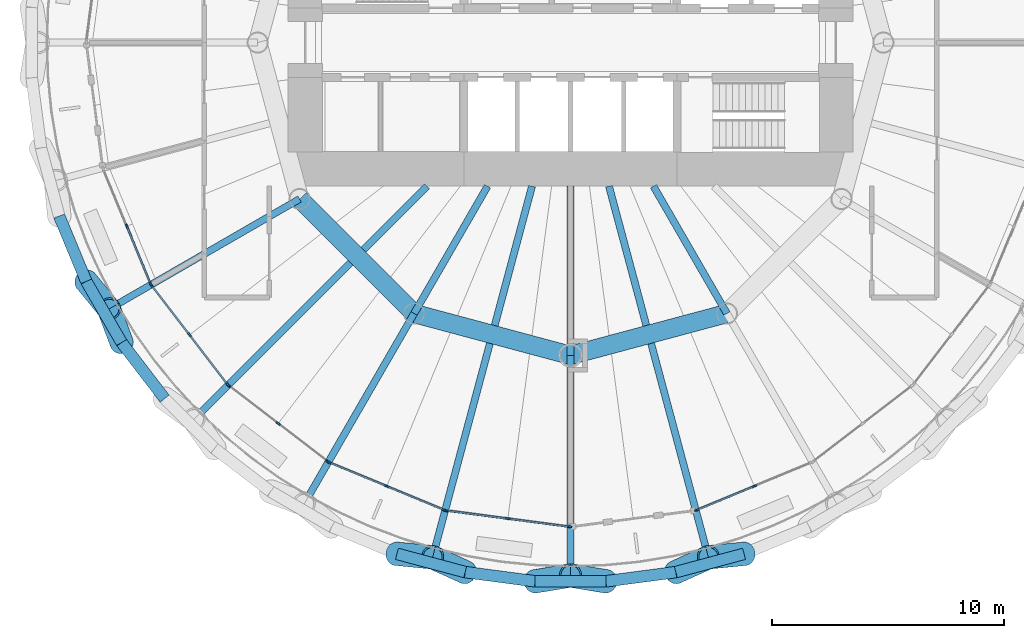
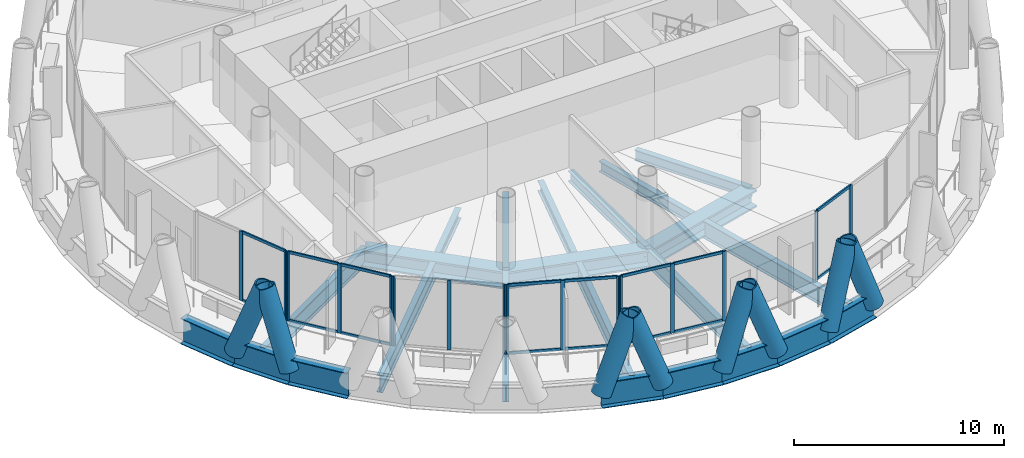
# One storey, part 2 of 14: 40 members, 23 beams, 6 elements without a shape of their own.
"""IFC4 building model written with IfcOpenShell, lengths in metres."""

from ifc_helpers import new_model, si_unit, direction, frame, origin, origin_2d, place, context, subcontext, project, spatial, rectangle, hollow_circle, i_section, extrude, material, material_profile, profile_set, type_object, element, aggregate, save


model = new_model("IFC4")

# Units and contexts
model_context = context("Model", 3, precision=1e-05, world=origin(), true_north=direction((0.0, 1.0)))
body_context = subcontext(model_context, "Body", "Model", "MODEL_VIEW")
ifc_project = project(units=[si_unit("LENGTHUNIT", "METRE"), si_unit("AREAUNIT", "SQUARE_METRE"), si_unit("VOLUMEUNIT", "CUBIC_METRE"), si_unit("PLANEANGLEUNIT", "RADIAN"), si_unit("MASSUNIT", "GRAM", prefix="KILO")], contexts=[model_context])

# Site, building, storey
site_placement = place(None, origin())
site = spatial("IfcSite", under=ifc_project, at=site_placement, CompositionType="ELEMENT")
building_placement = place(site_placement, origin())
building = spatial("IfcBuilding", under=site, at=building_placement, Name="Qaws Media Tower", CompositionType="ELEMENT")
storey_placement = place(building_placement, frame((0.0, 0.0, 206.60009765625)))
storey = spatial("IfcBuildingStorey", under=building, at=storey_placement, Name="L47", CompositionType="ELEMENT", Elevation=206.60009765625)

# Curtain wall, members
ifc_material_1 = material(Name="Aluminium and clear glass", Category="aluminium")
curtain_wall_type = type_object("IfcCurtainWallType", Name="Unitised curtain wall CW-C", PredefinedType="NOTDEFINED", material=ifc_material_1)
curtain_wall_1_placement = place(storey_placement, origin())
curtain_wall_1 = element("IfcCurtainWall", 1, at=curtain_wall_1_placement, inside=storey, type_object=curtain_wall_type, Name="CWC curtain wall L47-14", PredefinedType="NOTDEFINED")
ifc_material_2 = material(Name="Aluminium mullion", Category="aluminium")
ifc_material_profile_1 = material_profile(ifc_material_2, rectangle(XDim=0.080078125, YDim=0.199951171875, at=origin_2d()), Name="80x200")
ifc_profile_set_1 = profile_set([ifc_material_profile_1], Name="Aluminium mullion")
member_type_1 = type_object("IfcMemberType", Name="Curtain wall mullion 80x200", PredefinedType="MULLION", material=ifc_profile_set_1)
member_1_placement = place(storey_placement, frame((40.856201171875, 42.0703125, 0.0), z_axis=(0.0, 0.0, 1.0), x_axis=(0.92387952266, 0.382683456149, 0.0)))
member_1 = element("IfcMember", 2, at=member_1_placement, type_object=member_type_1, Name="CWC mullion 2", PredefinedType="MULLION", context=body_context, shape_type="SweptSolid", body=[
    extrude(rectangle(XDim=0.080078125, YDim=0.199951171875, at=origin_2d()), origin(), (0.0, 0.0, 1.0), 4.039794921875),
])
member_2_placement = place(storey_placement, frame((41.884765625, 39.5869140625, 0.0), z_axis=(0.0, 0.0, 1.0), x_axis=(0.92387952266, 0.382683456149, 0.0)))
member_2 = element("IfcMember", 3, at=member_2_placement, type_object=member_type_1, Name="CWC mullion 3", PredefinedType="MULLION", context=body_context, shape_type="SweptSolid", body=[
    extrude(rectangle(XDim=0.080078125, YDim=0.199951171875, at=origin_2d()), origin(), (0.0, 0.0, 1.0), 4.039794921875),
])

curtain_wall_2_placement = place(storey_placement, origin())
curtain_wall_2 = element("IfcCurtainWall", 4, at=curtain_wall_2_placement, inside=storey, type_object=curtain_wall_type, Name="CWC curtain wall L47-15", PredefinedType="NOTDEFINED")
member_3_placement = place(storey_placement, frame((41.92431640625, 39.518310546875, 0.0), z_axis=(0.0, 0.0, 1.0), x_axis=(0.793353377638, 0.608761380338, 0.0)))
member_3 = element("IfcMember", 5, at=member_3_placement, type_object=member_type_1, Name="CWC mullion 1", PredefinedType="MULLION", context=body_context, shape_type="SweptSolid", body=[
    extrude(rectangle(XDim=0.080078125, YDim=0.199951171875, at=origin_2d()), origin(), (0.0, 0.0, 1.0), 4.039794921875),
])
member_4_placement = place(storey_placement, frame((43.560791015625, 37.3857421875, 0.0), z_axis=(0.0, 0.0, 1.0), x_axis=(0.793353377638, 0.608761380338, 0.0)))
member_4 = element("IfcMember", 6, at=member_4_placement, type_object=member_type_1, Name="CWC mullion 2", PredefinedType="MULLION", context=body_context, shape_type="SweptSolid", body=[
    extrude(rectangle(XDim=0.080078125, YDim=0.199951171875, at=origin_2d()), origin(), (0.0, 0.0, 1.0), 4.039794921875),
])
member_5_placement = place(storey_placement, frame((45.197021484375, 35.253173828125, 0.0), z_axis=(0.0, 0.0, 1.0), x_axis=(0.793353377638, 0.608761380338, 0.0)))
member_5 = element("IfcMember", 7, at=member_5_placement, type_object=member_type_1, Name="CWC mullion 3", PredefinedType="MULLION", context=body_context, shape_type="SweptSolid", body=[
    extrude(rectangle(XDim=0.080078125, YDim=0.199951171875, at=origin_2d()), origin(), (0.0, 0.0, 1.0), 4.039794921875),
])

curtain_wall_3_placement = place(storey_placement, origin())
curtain_wall_3 = element("IfcCurtainWall", 8, at=curtain_wall_3_placement, inside=storey, type_object=curtain_wall_type, Name="CWC curtain wall L47-16", PredefinedType="NOTDEFINED")
member_6_placement = place(storey_placement, frame((45.253173828125, 35.197021484375, 0.0), z_axis=(0.0, 0.0, 1.0), x_axis=(0.608761380338, 0.793353377638, 0.0)))
member_6 = element("IfcMember", 9, at=member_6_placement, type_object=member_type_1, Name="CWC mullion 1", PredefinedType="MULLION", context=body_context, shape_type="SweptSolid", body=[
    extrude(rectangle(XDim=0.080078125, YDim=0.199951171875, at=origin_2d()), origin(), (0.0, 0.0, 1.0), 4.039794921875),
])
member_7_placement = place(storey_placement, frame((47.3857421875, 33.560791015625, 0.0), z_axis=(0.0, 0.0, 1.0), x_axis=(0.608761380338, 0.793353377638, 0.0)))
member_7 = element("IfcMember", 10, at=member_7_placement, type_object=member_type_1, Name="CWC mullion 2", PredefinedType="MULLION", context=body_context, shape_type="SweptSolid", body=[
    extrude(rectangle(XDim=0.080078125, YDim=0.199951171875, at=origin_2d()), origin(), (0.0, 0.0, 1.0), 4.039794921875),
])
member_8_placement = place(storey_placement, frame((49.518310546875, 31.92431640625, 0.0), z_axis=(0.0, 0.0, 1.0), x_axis=(0.608761380338, 0.793353377638, 0.0)))
member_8 = element("IfcMember", 11, at=member_8_placement, type_object=member_type_1, Name="CWC mullion 3", PredefinedType="MULLION", context=body_context, shape_type="SweptSolid", body=[
    extrude(rectangle(XDim=0.080078125, YDim=0.199951171875, at=origin_2d()), origin(), (0.0, 0.0, 1.0), 4.039794921875),
])
aggregate(curtain_wall_3, [member_6, member_7, member_8])

curtain_wall_4_placement = place(storey_placement, origin())
curtain_wall_4 = element("IfcCurtainWall", 12, at=curtain_wall_4_placement, inside=storey, type_object=curtain_wall_type, Name="CWC curtain wall L47-17", PredefinedType="NOTDEFINED")
member_9_placement = place(storey_placement, frame((49.5869140625, 31.884765625, 0.0), z_axis=(0.0, 0.0, 1.0), x_axis=(0.382683456149, 0.92387952266, 0.0)))
member_9 = element("IfcMember", 13, at=member_9_placement, type_object=member_type_1, Name="CWC mullion 1", PredefinedType="MULLION", context=body_context, shape_type="SweptSolid", body=[
    extrude(rectangle(XDim=0.080078125, YDim=0.199951171875, at=origin_2d()), origin(), (0.0, 0.0, 1.0), 4.039794921875),
])
member_10_placement = place(storey_placement, frame((52.0703125, 30.856201171875, 0.0), z_axis=(0.0, 0.0, 1.0), x_axis=(0.382683456149, 0.92387952266, 0.0)))
member_10 = element("IfcMember", 14, at=member_10_placement, type_object=member_type_1, Name="CWC mullion 2", PredefinedType="MULLION", context=body_context, shape_type="SweptSolid", body=[
    extrude(rectangle(XDim=0.080078125, YDim=0.199951171875, at=origin_2d()), origin(), (0.0, 0.0, 1.0), 4.039794921875),
])
member_11_placement = place(storey_placement, frame((54.5537109375, 29.827392578125, 0.0), z_axis=(0.0, 0.0, 1.0), x_axis=(0.382683456149, 0.92387952266, 0.0)))
member_11 = element("IfcMember", 15, at=member_11_placement, type_object=member_type_1, Name="CWC mullion 3", PredefinedType="MULLION", context=body_context, shape_type="SweptSolid", body=[
    extrude(rectangle(XDim=0.080078125, YDim=0.199951171875, at=origin_2d()), origin(), (0.0, 0.0, 1.0), 4.039794921875),
])

curtain_wall_5_placement = place(storey_placement, origin())
curtain_wall_5 = element("IfcCurtainWall", 16, at=curtain_wall_5_placement, inside=storey, type_object=curtain_wall_type, Name="CWC curtain wall L47-18", PredefinedType="NOTDEFINED")
member_12_placement = place(storey_placement, frame((54.63037109375, 29.806884765625, 0.0), z_axis=(0.0, 0.0, 1.0), x_axis=(0.130526151694, 0.991444866709, 0.0)))
member_12 = element("IfcMember", 17, at=member_12_placement, type_object=member_type_1, Name="CWC mullion 1", PredefinedType="MULLION", context=body_context, shape_type="SweptSolid", body=[
    extrude(rectangle(XDim=0.080078125, YDim=0.199951171875, at=origin_2d()), origin(), (0.0, 0.0, 1.0), 4.039794921875),
])
member_13_placement = place(storey_placement, frame((57.29541015625, 29.4560546875, 0.0), z_axis=(0.0, 0.0, 1.0), x_axis=(0.130526151694, 0.991444866709, 0.0)))
member_13 = element("IfcMember", 18, at=member_13_placement, type_object=member_type_1, Name="CWC mullion 2", PredefinedType="MULLION", context=body_context, shape_type="SweptSolid", body=[
    extrude(rectangle(XDim=0.080078125, YDim=0.199951171875, at=origin_2d()), origin(), (0.0, 0.0, 1.0), 4.039794921875),
])
member_14_placement = place(storey_placement, frame((59.96044921875, 29.105224609375, 0.0), z_axis=(0.0, 0.0, 1.0), x_axis=(0.130526151694, 0.991444866709, 0.0)))
member_14 = element("IfcMember", 19, at=member_14_placement, type_object=member_type_1, Name="CWC mullion 3", PredefinedType="MULLION", context=body_context, shape_type="SweptSolid", body=[
    extrude(rectangle(XDim=0.080078125, YDim=0.199951171875, at=origin_2d()), origin(), (0.0, 0.0, 1.0), 4.039794921875),
])

curtain_wall_6_placement = place(storey_placement, origin())
curtain_wall_6 = element("IfcCurtainWall", 20, at=curtain_wall_6_placement, inside=storey, type_object=curtain_wall_type, Name="CWC curtain wall L47-20", PredefinedType="NOTDEFINED")
member_15_placement = place(storey_placement, frame((65.4462890625, 29.827392578125, 0.0), z_axis=(0.0, 0.0, 1.0), x_axis=(-0.382683456149, 0.92387952266, 0.0)))
member_15 = element("IfcMember", 21, at=member_15_placement, type_object=member_type_1, Name="CWC mullion 1", PredefinedType="MULLION", context=body_context, shape_type="SweptSolid", body=[
    extrude(rectangle(XDim=0.080078125, YDim=0.199951171875, at=origin_2d()), origin(), (0.0, 0.0, 1.0), 4.039794921875),
])
member_16_placement = place(storey_placement, frame((67.9296875, 30.856201171875, 0.0), z_axis=(0.0, 0.0, 1.0), x_axis=(-0.382683456149, 0.92387952266, 0.0)))
member_16 = element("IfcMember", 22, at=member_16_placement, type_object=member_type_1, Name="CWC mullion 2", PredefinedType="MULLION", context=body_context, shape_type="SweptSolid", body=[
    extrude(rectangle(XDim=0.080078125, YDim=0.199951171875, at=origin_2d()), origin(), (0.0, 0.0, 1.0), 4.039794921875),
])

# Member
ifc_material_3 = material(Name="Aluminium transom", Category="aluminium")
ifc_material_profile_2 = material_profile(ifc_material_3, rectangle(XDim=0.080078125, YDim=0.159912109375, at=origin_2d()), Name="80x160")
ifc_profile_set_2 = profile_set([ifc_material_profile_2], Name="Aluminium transom")
member_type_2 = type_object("IfcMemberType", Name="Curtain wall transom 80x160", PredefinedType="USERDEFINED", material=ifc_profile_set_2)
member_17_placement = place(storey_placement, frame((40.871337890625, 42.033447265625, 0.039794921875), z_axis=(0.382693528503, -0.923875350489, 0.0), x_axis=(0.923875350489, 0.382693528503, 0.0)))
member_17 = element("IfcMember", 23, at=member_17_placement, type_object=member_type_2, Name="CWC transom 2.1", ObjectType="TRANSOM", PredefinedType="USERDEFINED", context=body_context, shape_type="SweptSolid", body=[
    extrude(rectangle(XDim=0.080078125, YDim=0.159912109375, at=origin_2d()), origin(), (0.0, 0.0, 1.0), 2.60791015625),
])

member_18_placement = place(storey_placement, frame((40.871337890625, 42.033447265625, 4.0), z_axis=(0.382693528503, -0.923875350489, 0.0), x_axis=(0.923875350489, 0.382693528503, 0.0)))
member_18 = element("IfcMember", 24, at=member_18_placement, type_object=member_type_2, Name="CWC transom 2.2", ObjectType="TRANSOM", PredefinedType="USERDEFINED", context=body_context, shape_type="SweptSolid", body=[
    extrude(rectangle(XDim=0.080078125, YDim=0.159912109375, at=origin_2d()), origin(), (0.0, 0.0, 1.0), 2.60791015625),
])

aggregate(curtain_wall_1, [member_1, member_2, member_17, member_18])

member_19_placement = place(storey_placement, frame((41.94873046875, 39.486572265625, 0.039794921875), z_axis=(0.608755759528, -0.793357690605, 0.0), x_axis=(0.793357690605, 0.608755759528, 0.0)))
member_19 = element("IfcMember", 25, at=member_19_placement, type_object=member_type_2, Name="CWC transom 1.1", ObjectType="TRANSOM", PredefinedType="USERDEFINED", context=body_context, shape_type="SweptSolid", body=[
    extrude(rectangle(XDim=0.080078125, YDim=0.159912109375, at=origin_2d()), origin(), (0.0, 0.0, 1.0), 2.60791015625),
])

member_20_placement = place(storey_placement, frame((41.94873046875, 39.486572265625, 4.0), z_axis=(0.608755759528, -0.793357690605, 0.0), x_axis=(0.793357690605, 0.608755759528, 0.0)))
member_20 = element("IfcMember", 26, at=member_20_placement, type_object=member_type_2, Name="CWC transom 1.2", ObjectType="TRANSOM", PredefinedType="USERDEFINED", context=body_context, shape_type="SweptSolid", body=[
    extrude(rectangle(XDim=0.080078125, YDim=0.159912109375, at=origin_2d()), origin(), (0.0, 0.0, 1.0), 2.60791015625),
])

member_21_placement = place(storey_placement, frame((43.585205078125, 37.35400390625, 0.039794921875), z_axis=(0.608755759528, -0.793357690605, 0.0), x_axis=(0.793357690605, 0.608755759528, 0.0)))
member_21 = element("IfcMember", 27, at=member_21_placement, type_object=member_type_2, Name="CWC transom 2.1", ObjectType="TRANSOM", PredefinedType="USERDEFINED", context=body_context, shape_type="SweptSolid", body=[
    extrude(rectangle(XDim=0.080078125, YDim=0.159912109375, at=origin_2d()), origin(), (0.0, 0.0, 1.0), 2.60791015625),
])

member_22_placement = place(storey_placement, frame((43.585205078125, 37.35400390625, 4.0), z_axis=(0.608755759528, -0.793357690605, 0.0), x_axis=(0.793357690605, 0.608755759528, 0.0)))
member_22 = element("IfcMember", 28, at=member_22_placement, type_object=member_type_2, Name="CWC transom 2.2", ObjectType="TRANSOM", PredefinedType="USERDEFINED", context=body_context, shape_type="SweptSolid", body=[
    extrude(rectangle(XDim=0.080078125, YDim=0.159912109375, at=origin_2d()), origin(), (0.0, 0.0, 1.0), 2.60791015625),
])

aggregate(curtain_wall_2, [member_3, member_4, member_5, member_19, member_20, member_21, member_22])

member_23_placement = place(storey_placement, frame((49.6240234375, 31.869384765625, 0.039794921875), z_axis=(0.923875350489, -0.382693528503, 0.0), x_axis=(0.382693528503, 0.923875350489, 0.0)))
member_23 = element("IfcMember", 29, at=member_23_placement, type_object=member_type_2, Name="CWC transom 1.1", ObjectType="TRANSOM", PredefinedType="USERDEFINED", context=body_context, shape_type="SweptSolid", body=[
    extrude(rectangle(XDim=0.080078125, YDim=0.159912109375, at=origin_2d()), origin(), (0.0, 0.0, 1.0), 2.60791015625),
])

member_24_placement = place(storey_placement, frame((49.6240234375, 31.869384765625, 4.0), z_axis=(0.923875350489, -0.382693528503, 0.0), x_axis=(0.382693528503, 0.923875350489, 0.0)))
member_24 = element("IfcMember", 30, at=member_24_placement, type_object=member_type_2, Name="CWC transom 1.2", ObjectType="TRANSOM", PredefinedType="USERDEFINED", context=body_context, shape_type="SweptSolid", body=[
    extrude(rectangle(XDim=0.080078125, YDim=0.159912109375, at=origin_2d()), origin(), (0.0, 0.0, 1.0), 2.60791015625),
])

member_25_placement = place(storey_placement, frame((52.107177734375, 30.8408203125, 0.039794921875), z_axis=(0.923889058869, -0.382660432893, 0.0), x_axis=(0.382660432893, 0.923889058869, 0.0)))
member_25 = element("IfcMember", 31, at=member_25_placement, type_object=member_type_2, Name="CWC transom 2.1", ObjectType="TRANSOM", PredefinedType="USERDEFINED", context=body_context, shape_type="SweptSolid", body=[
    extrude(rectangle(XDim=0.080078125, YDim=0.159912109375, at=origin_2d()), origin(), (0.0, 0.0, 1.0), 2.608154296875),
])

member_26_placement = place(storey_placement, frame((52.107177734375, 30.8408203125, 4.0), z_axis=(0.923889058869, -0.382660432893, 0.0), x_axis=(0.382660432893, 0.923889058869, 0.0)))
member_26 = element("IfcMember", 32, at=member_26_placement, type_object=member_type_2, Name="CWC transom 2.2", ObjectType="TRANSOM", PredefinedType="USERDEFINED", context=body_context, shape_type="SweptSolid", body=[
    extrude(rectangle(XDim=0.080078125, YDim=0.159912109375, at=origin_2d()), origin(), (0.0, 0.0, 1.0), 2.608154296875),
])

aggregate(curtain_wall_4, [member_9, member_10, member_11, member_23, member_24, member_25, member_26])

member_27_placement = place(storey_placement, frame((54.669921875, 29.8017578125, 0.039794921875), z_axis=(0.991436762367, -0.130587695544, 0.0), x_axis=(0.130587695544, 0.991436762367, 0.0)))
member_27 = element("IfcMember", 33, at=member_27_placement, type_object=member_type_2, Name="CWC transom 1.1", ObjectType="TRANSOM", PredefinedType="USERDEFINED", context=body_context, shape_type="SweptSolid", body=[
    extrude(rectangle(XDim=0.080078125, YDim=0.159912109375, at=origin_2d()), origin(), (0.0, 0.0, 1.0), 2.60791015625),
])

member_28_placement = place(storey_placement, frame((54.669921875, 29.8017578125, 4.0), z_axis=(0.991436762367, -0.130587695544, 0.0), x_axis=(0.130587695544, 0.991436762367, 0.0)))
member_28 = element("IfcMember", 34, at=member_28_placement, type_object=member_type_2, Name="CWC transom 1.2", ObjectType="TRANSOM", PredefinedType="USERDEFINED", context=body_context, shape_type="SweptSolid", body=[
    extrude(rectangle(XDim=0.080078125, YDim=0.159912109375, at=origin_2d()), origin(), (0.0, 0.0, 1.0), 2.60791015625),
])

member_29_placement = place(storey_placement, frame((57.3349609375, 29.450927734375, 0.039794921875), z_axis=(0.991436762367, -0.130587695544, 0.0), x_axis=(0.130587695544, 0.991436762367, 0.0)))
member_29 = element("IfcMember", 35, at=member_29_placement, type_object=member_type_2, Name="CWC transom 2.1", ObjectType="TRANSOM", PredefinedType="USERDEFINED", context=body_context, shape_type="SweptSolid", body=[
    extrude(rectangle(XDim=0.080078125, YDim=0.159912109375, at=origin_2d()), origin(), (0.0, 0.0, 1.0), 2.60791015625),
])

member_30_placement = place(storey_placement, frame((57.3349609375, 29.450927734375, 4.0), z_axis=(0.991436762367, -0.130587695544, 0.0), x_axis=(0.130587695544, 0.991436762367, 0.0)))
member_30 = element("IfcMember", 36, at=member_30_placement, type_object=member_type_2, Name="CWC transom 2.2", ObjectType="TRANSOM", PredefinedType="USERDEFINED", context=body_context, shape_type="SweptSolid", body=[
    extrude(rectangle(XDim=0.080078125, YDim=0.159912109375, at=origin_2d()), origin(), (0.0, 0.0, 1.0), 2.60791015625),
])

aggregate(curtain_wall_5, [member_12, member_13, member_14, member_27, member_28, member_29, member_30])

member_31_placement = place(storey_placement, frame((65.483154296875, 29.8427734375, 0.039794921875), z_axis=(0.923889058869, 0.382660432893, 0.0), x_axis=(-0.382660432893, 0.923889058869, 0.0)))
member_31 = element("IfcMember", 37, at=member_31_placement, type_object=member_type_2, Name="CWC transom 1.1", ObjectType="TRANSOM", PredefinedType="USERDEFINED", context=body_context, shape_type="SweptSolid", body=[
    extrude(rectangle(XDim=0.080078125, YDim=0.159912109375, at=origin_2d()), origin(), (0.0, 0.0, 1.0), 2.608154296875),
])

member_32_placement = place(storey_placement, frame((65.483154296875, 29.8427734375, 4.0), z_axis=(0.923889058869, 0.382660432893, 0.0), x_axis=(-0.382660432893, 0.923889058869, 0.0)))
member_32 = element("IfcMember", 38, at=member_32_placement, type_object=member_type_2, Name="CWC transom 1.2", ObjectType="TRANSOM", PredefinedType="USERDEFINED", context=body_context, shape_type="SweptSolid", body=[
    extrude(rectangle(XDim=0.080078125, YDim=0.159912109375, at=origin_2d()), origin(), (0.0, 0.0, 1.0), 2.608154296875),
])

aggregate(curtain_wall_6, [member_15, member_16, member_31, member_32])

# Members
ifc_material_4 = material(Name="Steel S460", Category="steel")
ifc_material_profile_3 = material_profile(ifc_material_4, hollow_circle(Radius=0.508056640625, WallThickness=0.070068359375, at=origin_2d()), Name="CHS 1016x70")
ifc_profile_set_3 = profile_set([ifc_material_profile_3], Name="Steel S460")
member_type_3 = type_object("IfcMemberType", Name="Diagrid member CHS 1016x70", PredefinedType="USERDEFINED", material=ifc_profile_set_3)
for number, where, z_axis, x_axis, name in (
    (39, (39.102783203125, 39.694580078125, -0.91015625), (0.218671012683, -0.266955405454, 0.93857221337), (0.77359792083, 0.633676776351, 0.0), "DG3 diagrid L47 A14"),
    (40, (40.626708984375, 37.05517578125, -0.91015625), (-0.121882547389, 0.322874178804, 0.938561084482), (-0.935560331007, -0.353166911029, 0.0), "DG3 diagrid L47 B15"),
    (41, (52.510498046875, 27.9365234375, -0.91015625), (0.343391645998, -0.034153665458, 0.938571097251), (0.098971482221, 0.99509027013, 0.0), "DG3 diagrid L47 A17"),
    (42, (58.47607421875, 26.75, -0.91015625), (0.340552153241, 0.055867575283, 0.938564353124), (-0.161886075134, 0.986809454088, 0.0), "DG3 diagrid L47 A18"),
    (43, (55.454345703125, 27.147705078125, -0.91015625), (-0.314474007821, 0.142124356415, 0.938566335279), (-0.411836624979, -0.911257699186, 0.0), "DG3 diagrid L47 B18"),
    (44, (64.545654296875, 27.147705078125, -0.91015625), (0.314474007821, 0.142124356415, 0.938566335279), (-0.411836624979, 0.911257699186, 0.0), "DG3 diagrid L47 A19"),
    (45, (61.52392578125, 26.75, -0.91015625), (-0.340552153241, 0.055867575283, 0.938564353124), (-0.161886075134, -0.986809454088, 0.0), "DG3 diagrid L47 B19"),
    (46, (67.489501953125, 27.9365234375, -0.91015625), (-0.343391645998, -0.034153665458, 0.938571097251), (0.098971482221, -0.99509027013, 0.0), "DG3 diagrid L47 B20"),
):
    element("IfcMember", number, at=place(storey_placement, frame(where, z_axis=z_axis, x_axis=x_axis)), inside=storey, type_object=member_type_3, Name=name, ObjectType="DIAGRID", PredefinedType="USERDEFINED", context=body_context, shape_type="SweptSolid", body=[
        extrude(hollow_circle(Radius=0.508056640625, WallThickness=0.070068359375, at=origin_2d()), origin(), (0.0, 0.0, 1.0), 4.474853515625),
    ])

# Beams
ifc_material_5 = material(Name="Steel S460", Category="steel")
ifc_material_profile_4 = material_profile(ifc_material_5, i_section(OverallWidth=0.5, OverallDepth=1.5, WebThickness=0.02001953125, FlangeThickness=0.0400390625, at=origin_2d()), Name="PG 1500x500")
ifc_profile_set_4 = profile_set([ifc_material_profile_4], Name="Steel S460")
beam_type_1 = type_object("IfcBeamType", Name="Edge ring beam PG 1500x500", PredefinedType="BEAM", material=ifc_profile_set_4)
for number, where, z_axis, x_axis, name in (
    (47, (37.9365234375, 42.510498046875, -0.91015625), (0.382646564361, -0.923894802877, 0.0), (0.923894802877, 0.382646564361, 0.0), "RB4 edge ring beam L47-27"),
    (48, (39.102783203125, 39.694580078125, -0.91015625), (0.500015995287, -0.866016168704, 0.0), (0.866016168704, 0.500015995287, 0.0), "RB4 edge ring beam L47-28"),
    (49, (40.626708984375, 37.05517578125, -0.91015625), (0.608781268648, -0.793338116406, 0.0), (0.793338116406, 0.608781268648, 0.0), "RB4 edge ring beam L47-29"),
):
    element("IfcBeam", number, at=place(storey_placement, frame(where, z_axis=z_axis, x_axis=x_axis)), inside=storey, type_object=beam_type_1, Name=name, PredefinedType="BEAM", context=body_context, shape_type="SweptSolid", body=[
        extrude(i_section(OverallWidth=0.5, OverallDepth=1.5, WebThickness=0.02001953125, FlangeThickness=0.0400390625, at=origin_2d()), origin(), (0.0, 0.0, 1.0), 3.0478515625),
    ])
beam_1_placement = place(storey_placement, frame((52.510498046875, 27.9365234375, -0.91015625), z_axis=(0.965924451694, -0.258824175106, 0.0), x_axis=(0.258824175106, 0.965924451694, 0.0)))
element("IfcBeam", 50, at=beam_1_placement, inside=storey, type_object=beam_type_1, Name="RB4 edge ring beam L47-34", PredefinedType="BEAM", context=body_context, shape_type="SweptSolid", body=[
    extrude(i_section(OverallWidth=0.5, OverallDepth=1.5, WebThickness=0.02001953125, FlangeThickness=0.0400390625, at=origin_2d()), origin(), (0.0, 0.0, 1.0), 3.047607421875),
])
for number, where, z_axis, x_axis, name in (
    (51, (55.454345703125, 27.147705078125, -0.91015625), (0.991449659888, -0.130489738706, 0.0), (0.130489738706, 0.991449659888, 0.0), "RB4 edge ring beam L47-35"),
    (52, (58.47607421875, 26.75, -0.91015625), (1.0, 0.0, 0.0), (0.0, 1.0, 0.0), "RB4 edge ring beam L47-36"),
    (53, (61.52392578125, 26.75, -0.91015625), (0.991449659888, 0.130489738706, 0.0), (-0.130489738706, 0.991449659888, 0.0), "RB4 edge ring beam L47-37"),
):
    element("IfcBeam", number, at=place(storey_placement, frame(where, z_axis=z_axis, x_axis=x_axis)), inside=storey, type_object=beam_type_1, Name=name, PredefinedType="BEAM", context=body_context, shape_type="SweptSolid", body=[
        extrude(i_section(OverallWidth=0.5, OverallDepth=1.5, WebThickness=0.02001953125, FlangeThickness=0.0400390625, at=origin_2d()), origin(), (0.0, 0.0, 1.0), 3.0478515625),
    ])
beam_2_placement = place(storey_placement, frame((64.545654296875, 27.147705078125, -0.91015625), z_axis=(0.965924451694, 0.258824175106, 0.0), x_axis=(-0.258824175106, 0.965924451694, 0.0)))
element("IfcBeam", 54, at=beam_2_placement, inside=storey, type_object=beam_type_1, Name="RB4 edge ring beam L47-38", PredefinedType="BEAM", context=body_context, shape_type="SweptSolid", body=[
    extrude(i_section(OverallWidth=0.5, OverallDepth=1.5, WebThickness=0.02001953125, FlangeThickness=0.0400390625, at=origin_2d()), origin(), (0.0, 0.0, 1.0), 3.047607421875),
])
ifc_material_6 = material(Name="Steel S460", Category="steel")
ifc_material_profile_5 = material_profile(ifc_material_6, i_section(OverallWidth=0.800048828125, OverallDepth=1.0, WebThickness=0.0400390625, FlangeThickness=0.10009765625, at=origin_2d()), Name="PG 1000x800")
ifc_profile_set_5 = profile_set([ifc_material_profile_5], Name="Steel S460")
beam_type_2 = type_object("IfcBeamType", Name="Inner ring girder PG 1000x800", PredefinedType="BEAM", material=ifc_profile_set_5)
beam_3_placement = place(storey_placement, frame((48.30859375, 43.25, -0.66015625), z_axis=(0.707106781187, -0.707106781187, 0.0), x_axis=(0.707106781187, 0.707106781187, 0.0)))
element("IfcBeam", 55, at=beam_3_placement, inside=storey, type_object=beam_type_2, Name="B3 inner ring beam L47 I08-I09", PredefinedType="BEAM", context=body_context, shape_type="SweptSolid", body=[
    extrude(i_section(OverallWidth=0.800048828125, OverallDepth=1.0, WebThickness=0.0400390625, FlangeThickness=0.10009765625, at=origin_2d()), origin(), (0.0, 0.0, 1.0), 6.98828125),
])
for number, where, z_axis, x_axis, name in (
    (56, (53.25, 38.30859375, -0.66015625), (0.965928090778, -0.258810593767, 0.0), (0.258810593767, 0.965928090778, 0.0), "B3 inner ring beam L47 I09-I10"),
    (57, (60.0, 36.5, -0.66015625), (0.965928090778, 0.258810593767, 0.0), (-0.258810593767, 0.965928090778, 0.0), "B3 inner ring beam L47 I10-I11"),
):
    element("IfcBeam", number, at=place(storey_placement, frame(where, z_axis=z_axis, x_axis=x_axis)), inside=storey, type_object=beam_type_2, Name=name, PredefinedType="BEAM", context=body_context, shape_type="SweptSolid", body=[
        extrude(i_section(OverallWidth=0.800048828125, OverallDepth=1.0, WebThickness=0.0400390625, FlangeThickness=0.10009765625, at=origin_2d()), origin(), (0.0, 0.0, 1.0), 6.988037109375),
    ])
ifc_material_7 = material(Name="Steel S355", Category="steel")
ifc_material_profile_6 = material_profile(ifc_material_7, i_section(OverallWidth=0.302001953125, OverallDepth=1.008056640625, WebThickness=0.02099609375, FlangeThickness=0.0400390625, FilletRadius=0.030029296875, at=origin_2d()), Name="HE 1000 M")
ifc_profile_set_6 = profile_set([ifc_material_profile_6], Name="Steel S355")
beam_type_3 = type_object("IfcBeamType", Name="Radial beam HE 1000 M", PredefinedType="BEAM", material=ifc_profile_set_6)
beam_4_placement = place(storey_placement, frame((48.30859375, 43.25, -0.6640625), z_axis=(-0.866027967067, -0.499995560238, 0.0), x_axis=(0.499995560238, -0.866027967067, 0.0)))
element("IfcBeam", 58, at=beam_4_placement, inside=storey, type_object=beam_type_3, Name="B1 radial beam L47 15", PredefinedType="BEAM", context=body_context, shape_type="SweptSolid", body=[
    extrude(i_section(OverallWidth=0.302001953125, OverallDepth=1.008056640625, WebThickness=0.02099609375, FlangeThickness=0.0400390625, FilletRadius=0.030029296875, at=origin_2d()), origin(), (0.0, 0.0, 1.0), 9.75),
])
beam_5_placement = place(storey_placement, frame((50.49658203125, 40.49658203125, -0.6640625), z_axis=(-0.707106781187, -0.707106781187, 0.0), x_axis=(0.707106781187, -0.707106781187, 0.0)))
element("IfcBeam", 59, at=beam_5_placement, inside=storey, type_object=beam_type_3, Name="B1 radial beam L47 16", PredefinedType="BEAM", context=body_context, shape_type="SweptSolid", body=[
    extrude(i_section(OverallWidth=0.302001953125, OverallDepth=1.008056640625, WebThickness=0.02099609375, FlangeThickness=0.0400390625, FilletRadius=0.030029296875, at=origin_2d()), origin(), (0.0, 0.0, 1.0), 9.810302734375),
])
beam_6_placement = place(storey_placement, frame((53.25, 38.30859375, -0.6640625), z_axis=(-0.499995560238, -0.866027967067, 0.0), x_axis=(0.866027967067, -0.499995560238, 0.0)))
element("IfcBeam", 60, at=beam_6_placement, inside=storey, type_object=beam_type_3, Name="B1 radial beam L47 17", PredefinedType="BEAM", context=body_context, shape_type="SweptSolid", body=[
    extrude(i_section(OverallWidth=0.302001953125, OverallDepth=1.008056640625, WebThickness=0.02099609375, FlangeThickness=0.0400390625, FilletRadius=0.030029296875, at=origin_2d()), origin(), (0.0, 0.0, 1.0), 9.75),
])
beam_7_placement = place(storey_placement, frame((56.521484375, 37.01806640625, -0.6640625), z_axis=(-0.258821088287, -0.965925278817, 0.0), x_axis=(0.965925278817, -0.258821088287, 0.0)))
element("IfcBeam", 61, at=beam_7_placement, inside=storey, type_object=beam_type_3, Name="B1 radial beam L47 18", PredefinedType="BEAM", context=body_context, shape_type="SweptSolid", body=[
    extrude(i_section(OverallWidth=0.302001953125, OverallDepth=1.008056640625, WebThickness=0.02099609375, FlangeThickness=0.0400390625, FilletRadius=0.030029296875, at=origin_2d()), origin(), (0.0, 0.0, 1.0), 9.81005859375),
])
beam_8_placement = place(storey_placement, frame((60.0, 36.5, -0.6640625), z_axis=(0.0, -1.0, 0.0), x_axis=(1.0, 0.0, 0.0)))
element("IfcBeam", 62, at=beam_8_placement, inside=storey, type_object=beam_type_3, Name="B1 radial beam L47 19", PredefinedType="BEAM", context=body_context, shape_type="SweptSolid", body=[
    extrude(i_section(OverallWidth=0.302001953125, OverallDepth=1.008056640625, WebThickness=0.02099609375, FlangeThickness=0.0400390625, FilletRadius=0.030029296875, at=origin_2d()), origin(), (0.0, 0.0, 1.0), 9.75),
])
beam_9_placement = place(storey_placement, frame((63.478515625, 37.01806640625, -0.6640625), z_axis=(0.258821088287, -0.965925278817, 0.0), x_axis=(0.965925278817, 0.258821088287, 0.0)))
element("IfcBeam", 63, at=beam_9_placement, inside=storey, type_object=beam_type_3, Name="B1 radial beam L47 20", PredefinedType="BEAM", context=body_context, shape_type="SweptSolid", body=[
    extrude(i_section(OverallWidth=0.302001953125, OverallDepth=1.008056640625, WebThickness=0.02099609375, FlangeThickness=0.0400390625, FilletRadius=0.030029296875, at=origin_2d()), origin(), (0.0, 0.0, 1.0), 9.81005859375),
])
ifc_material_8 = material(Name="Steel S355", Category="steel")
ifc_material_profile_7 = material_profile(ifc_material_8, i_section(OverallWidth=0.304931640625, OverallDepth=0.6201171875, WebThickness=0.02099609375, FlangeThickness=0.0400390625, FilletRadius=0.027099609375, at=origin_2d()), Name="HE 600 M")
ifc_profile_set_7 = profile_set([ifc_material_profile_7], Name="Steel S355")
beam_type_4 = type_object("IfcBeamType", Name="Radial beam HE 600 M, core side", PredefinedType="BEAM", material=ifc_profile_set_7)
beam_10_placement = place(storey_placement, frame((53.800048828125, 43.800048828125, -0.47021484375), z_axis=(-0.707106781187, -0.707106781187, 0.0), x_axis=(0.707106781187, -0.707106781187, 0.0)))
element("IfcBeam", 64, at=beam_10_placement, inside=storey, type_object=beam_type_4, Name="B2 radial beam L47 16", PredefinedType="BEAM", context=body_context, shape_type="SweptSolid", body=[
    extrude(i_section(OverallWidth=0.304931640625, OverallDepth=0.6201171875, WebThickness=0.02099609375, FlangeThickness=0.0400390625, FilletRadius=0.027099609375, at=origin_2d()), origin(), (0.0, 0.0, 1.0), 3.871826171875),
])
beam_11_placement = place(storey_placement, frame((56.42041015625, 43.800048828125, -0.47021484375), z_axis=(-0.499990193304, -0.866031065609, 0.0), x_axis=(0.866031065609, -0.499990193304, 0.0)))
element("IfcBeam", 65, at=beam_11_placement, inside=storey, type_object=beam_type_4, Name="B2 radial beam L47 17", PredefinedType="BEAM", context=body_context, shape_type="SweptSolid", body=[
    extrude(i_section(OverallWidth=0.304931640625, OverallDepth=0.6201171875, WebThickness=0.02099609375, FlangeThickness=0.0400390625, FilletRadius=0.027099609375, at=origin_2d()), origin(), (0.0, 0.0, 1.0), 6.341064453125),
])
beam_12_placement = place(storey_placement, frame((58.338623046875, 43.800048828125, -0.47021484375), z_axis=(-0.258808008719, -0.965928783412, 0.0), x_axis=(0.965928783412, -0.258808008719, 0.0)))
element("IfcBeam", 66, at=beam_12_placement, inside=storey, type_object=beam_type_4, Name="B2 radial beam L47 18", PredefinedType="BEAM", context=body_context, shape_type="SweptSolid", body=[
    extrude(i_section(OverallWidth=0.304931640625, OverallDepth=0.6201171875, WebThickness=0.02099609375, FlangeThickness=0.0400390625, FilletRadius=0.027099609375, at=origin_2d()), origin(), (0.0, 0.0, 1.0), 6.22119140625),
])
beam_13_placement = place(storey_placement, frame((60.0, 43.800048828125, -0.47021484375), z_axis=(0.0, -1.0, 0.0), x_axis=(1.0, 0.0, 0.0)))
element("IfcBeam", 67, at=beam_13_placement, inside=storey, type_object=beam_type_4, Name="B2 radial beam L47 19", PredefinedType="BEAM", context=body_context, shape_type="SweptSolid", body=[
    extrude(i_section(OverallWidth=0.304931640625, OverallDepth=0.6201171875, WebThickness=0.02099609375, FlangeThickness=0.0400390625, FilletRadius=0.027099609375, at=origin_2d()), origin(), (0.0, 0.0, 1.0), 7.300048828125),
])
beam_14_placement = place(storey_placement, frame((61.661376953125, 43.800048828125, -0.47021484375), z_axis=(0.258808008719, -0.965928783412, 0.0), x_axis=(0.965928783412, 0.258808008719, 0.0)))
element("IfcBeam", 68, at=beam_14_placement, inside=storey, type_object=beam_type_4, Name="B2 radial beam L47 20", PredefinedType="BEAM", context=body_context, shape_type="SweptSolid", body=[
    extrude(i_section(OverallWidth=0.304931640625, OverallDepth=0.6201171875, WebThickness=0.02099609375, FlangeThickness=0.0400390625, FilletRadius=0.027099609375, at=origin_2d()), origin(), (0.0, 0.0, 1.0), 6.22119140625),
])
beam_15_placement = place(storey_placement, frame((63.57958984375, 43.800048828125, -0.47021484375), z_axis=(0.499990193304, -0.866031065609, 0.0), x_axis=(0.866031065609, 0.499990193304, 0.0)))
element("IfcBeam", 69, at=beam_15_placement, inside=storey, type_object=beam_type_4, Name="B2 radial beam L47 21", PredefinedType="BEAM", context=body_context, shape_type="SweptSolid", body=[
    extrude(i_section(OverallWidth=0.304931640625, OverallDepth=0.6201171875, WebThickness=0.02099609375, FlangeThickness=0.0400390625, FilletRadius=0.027099609375, at=origin_2d()), origin(), (0.0, 0.0, 1.0), 6.341064453125),
])

save(model, "model.ifc")
